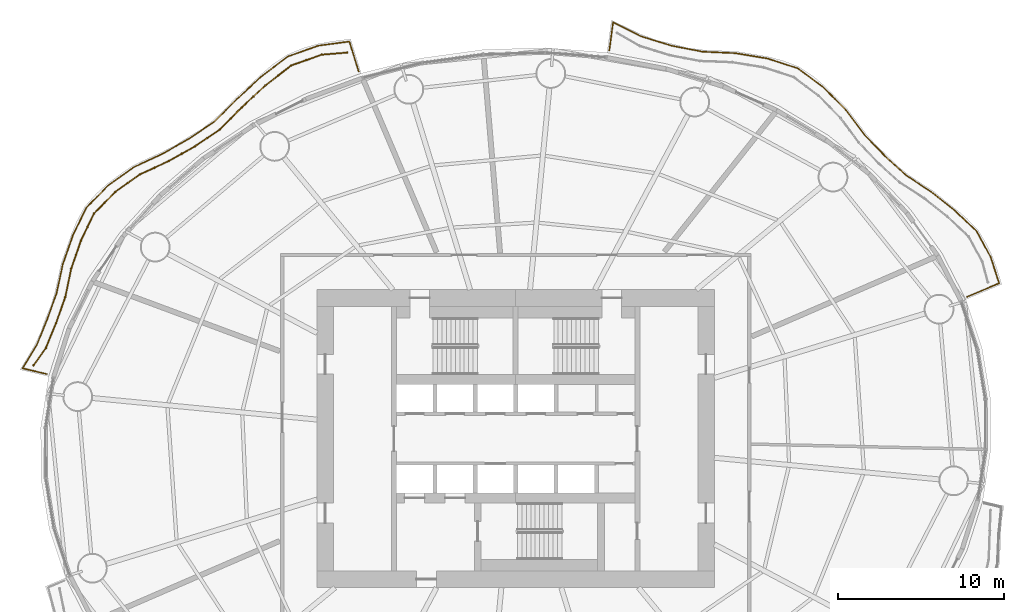
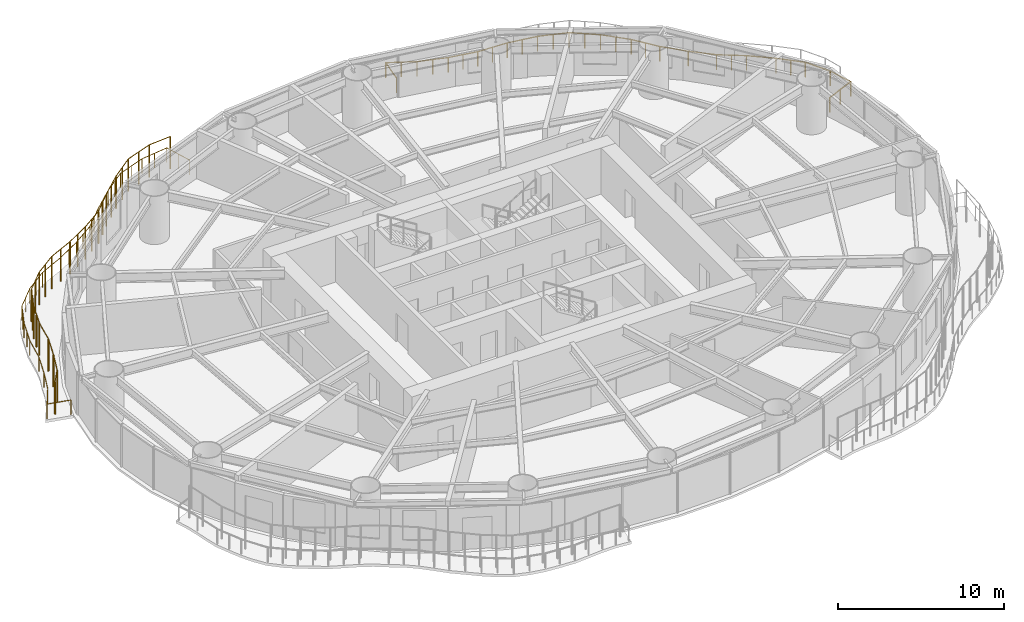
# One storey, part 16 of 17: 3 railings.
"""IFC4 building model written with IfcOpenShell, lengths in metres."""

from ifc_helpers import new_model, si_unit, direction, frame, origin, origin_2d, place, context, subcontext, project, spatial, circle, extrude, material, type_object, element, save


model = new_model("IFC4")

# Units and contexts
model_context = context("Model", 3, precision=1e-05, world=origin(), true_north=direction((0.0, 1.0)))
body_context = subcontext(model_context, "Body", "Model", "MODEL_VIEW")
ifc_project = project(units=[si_unit("LENGTHUNIT", "METRE"), si_unit("AREAUNIT", "SQUARE_METRE"), si_unit("VOLUMEUNIT", "CUBIC_METRE"), si_unit("PLANEANGLEUNIT", "RADIAN"), si_unit("MASSUNIT", "GRAM", prefix="KILO")], contexts=[model_context])

# Site, building, storey
site_placement = place(None, origin())
site = spatial("IfcSite", under=ifc_project, at=site_placement, CompositionType="ELEMENT")
building_placement = place(site_placement, origin())
building = spatial("IfcBuilding", under=site, at=building_placement, Name="Vermilion Reach Broadcast Tower", CompositionType="ELEMENT")
storey_placement = place(building_placement, frame((0.0, 0.0, 54.5)))
storey = spatial("IfcBuildingStorey", under=building, at=storey_placement, Name="L10", CompositionType="ELEMENT", Elevation=54.5)

# Railings
ifc_material_1 = material(Name="Terracotta baguette", Category="masonry")
railing_type_1 = type_object("IfcRailingType", Name="BAGUETTE SCREEN", PredefinedType="USERDEFINED", material=ifc_material_1)
railing_1_placement = place(storey_placement, frame((-16.186279296875, 23.325927734375, 0.0)))
element("IfcRailing", 1, at=railing_1_placement, inside=storey, type_object=railing_type_1, Name="Baguette screen L10 group 2", ObjectType="BAGUETTE SCREEN", PredefinedType="USERDEFINED", context=body_context, shape_type="SweptSolid", body=[
    extrude(circle(Radius=0.030029296875, at=origin_2d()), frame((0.0, 0.0, 2.369873046875), z_axis=(-0.996626300757, -0.082073239486, 0.0), x_axis=(0.082073239486, -0.996626300757, 0.0)), (0.0, 0.0, 1.0), 1.537841796875),
    extrude(circle(Radius=0.030029296875, at=origin_2d()), frame((-1.53271484375, -0.126220703125, 2.369873046875), z_axis=(-0.942582264606, -0.333974062542, 0.0), x_axis=(0.333974062542, -0.942582264606, 0.0)), (0.0, 0.0, 1.0), 1.95849609375),
    extrude(circle(Radius=0.030029296875, at=origin_2d()), frame((-3.378662109375, -0.7802734375, 2.369873046875), z_axis=(-0.791356076154, -0.611355510921, 0.0), x_axis=(0.611355510921, -0.791356076154, 0.0)), (0.0, 0.0, 1.0), 1.9638671875),
    extrude(circle(Radius=0.030029296875, at=origin_2d()), frame((-4.932861328125, -1.98095703125, 2.369873046875), z_axis=(-0.73319798747, -0.680015228631, 0.0), x_axis=(0.680015228631, -0.73319798747, 0.0)), (0.0, 0.0, 1.0), 1.95556640625),
    extrude(circle(Radius=0.030029296875, at=origin_2d()), frame((-6.36669921875, -3.310791015625, 2.369873046875), z_axis=(-0.703076298775, -0.711114419838, 0.0), x_axis=(0.711114419838, -0.703076298775, 0.0)), (0.0, 0.0, 1.0), 1.883056640625),
    extrude(circle(Radius=0.030029296875, at=origin_2d()), frame((-7.690673828125, -4.64990234375, 2.369873046875), z_axis=(-0.829421715543, -0.558622965681, 0.0), x_axis=(0.558622965681, -0.829421715543, 0.0)), (0.0, 0.0, 1.0), 1.821044921875),
    extrude(circle(Radius=0.030029296875, at=origin_2d()), frame((-9.201171875, -5.667236328125, 2.369873046875), z_axis=(-0.871078904278, -0.491143097806, 0.0), x_axis=(0.491143097806, -0.871078904278, 0.0)), (0.0, 0.0, 1.0), 1.8134765625),
    extrude(circle(Radius=0.030029296875, at=origin_2d()), frame((-10.78076171875, -6.557861328125, 2.369873046875), z_axis=(-0.908505016207, -0.417873946934, 0.0), x_axis=(0.417873946934, -0.908505016207, 0.0)), (0.0, 0.0, 1.0), 1.909423828125),
    extrude(circle(Radius=0.030029296875, at=origin_2d()), frame((-12.515380859375, -7.355712890625, 2.369873046875), z_axis=(-0.814119722969, -0.580697061016, 0.0), x_axis=(0.580697061016, -0.814119722969, 0.0)), (0.0, 0.0, 1.0), 1.835693359375),
    extrude(circle(Radius=0.030029296875, at=origin_2d()), frame((-14.009765625, -8.421630859375, 2.369873046875), z_axis=(-0.701553228763, -0.712617055095, 0.0), x_axis=(0.712617055095, -0.701553228763, 0.0)), (0.0, 0.0, 1.0), 1.83154296875),
    extrude(circle(Radius=0.030029296875, at=origin_2d()), frame((-15.294677734375, -9.726806640625, 2.369873046875), z_axis=(-0.433433720296, -0.901185447125, 0.0), x_axis=(0.901185447125, -0.433433720296, 0.0)), (0.0, 0.0, 1.0), 1.806884765625),
    extrude(circle(Radius=0.030029296875, at=origin_2d()), frame((-16.077880859375, -11.355224609375, 2.369873046875), z_axis=(-0.327333733682, -0.944908792844, 0.0), x_axis=(0.944908792844, -0.327333733682, 0.0)), (0.0, 0.0, 1.0), 1.803466796875),
    extrude(circle(Radius=0.030029296875, at=origin_2d()), frame((-16.668212890625, -13.059326171875, 2.369873046875), z_axis=(-0.204670953274, -0.978830833641, 0.0), x_axis=(0.978830833641, -0.204670953274, 0.0)), (0.0, 0.0, 1.0), 1.754638671875),
    extrude(circle(Radius=0.030029296875, at=origin_2d()), frame((-17.02734375, -14.77685546875, 2.369873046875), z_axis=(-0.334397261037, -0.942432210724, 0.0), x_axis=(0.942432210724, -0.334397261037, 0.0)), (0.0, 0.0, 1.0), 1.66748046875),
    extrude(circle(Radius=0.030029296875, at=origin_2d()), frame((-17.5849609375, -16.348388671875, 2.369873046875), z_axis=(-0.378001958055, -0.925804795681, 0.0), x_axis=(0.925804795681, -0.378001958055, 0.0)), (0.0, 0.0, 1.0), 1.627685546875),
    extrude(circle(Radius=0.030029296875, at=origin_2d()), frame((-18.2001953125, -17.855224609375, 2.369873046875), z_axis=(-0.582070223561, -0.813138521313, 0.0), x_axis=(0.813138521313, -0.582070223561, 0.0)), (0.0, 0.0, 1.0), 1.2763671875),
    extrude(circle(Radius=0.050048828125, at=origin_2d()), origin(), (0.0, 0.0, 1.0), 2.33984375),
    extrude(circle(Radius=0.050048828125, at=origin_2d()), frame((-1.53271484375, -0.126220703125, 0.0)), (0.0, 0.0, 1.0), 2.33984375),
    extrude(circle(Radius=0.050048828125, at=origin_2d()), frame((-2.45556640625, -0.453125, 0.0)), (0.0, 0.0, 1.0), 2.33984375),
    extrude(circle(Radius=0.050048828125, at=origin_2d()), frame((-3.378662109375, -0.7802734375, 0.0)), (0.0, 0.0, 1.0), 2.33984375),
    extrude(circle(Radius=0.050048828125, at=origin_2d()), frame((-4.15576171875, -1.380615234375, 0.0)), (0.0, 0.0, 1.0), 2.33984375),
    extrude(circle(Radius=0.050048828125, at=origin_2d()), frame((-4.932861328125, -1.98095703125, 0.0)), (0.0, 0.0, 1.0), 2.33984375),
    extrude(circle(Radius=0.050048828125, at=origin_2d()), frame((-5.64990234375, -2.64599609375, 0.0)), (0.0, 0.0, 1.0), 2.33984375),
    extrude(circle(Radius=0.050048828125, at=origin_2d()), frame((-6.36669921875, -3.310791015625, 0.0)), (0.0, 0.0, 1.0), 2.33984375),
    extrude(circle(Radius=0.050048828125, at=origin_2d()), frame((-7.02880859375, -3.98046875, 0.0)), (0.0, 0.0, 1.0), 2.33984375),
    extrude(circle(Radius=0.050048828125, at=origin_2d()), frame((-7.690673828125, -4.64990234375, 0.0)), (0.0, 0.0, 1.0), 2.33984375),
    extrude(circle(Radius=0.050048828125, at=origin_2d()), frame((-8.44580078125, -5.15869140625, 0.0)), (0.0, 0.0, 1.0), 2.33984375),
    extrude(circle(Radius=0.050048828125, at=origin_2d()), frame((-9.201171875, -5.667236328125, 0.0)), (0.0, 0.0, 1.0), 2.33984375),
    extrude(circle(Radius=0.050048828125, at=origin_2d()), frame((-9.990966796875, -6.112548828125, 0.0)), (0.0, 0.0, 1.0), 2.33984375),
    extrude(circle(Radius=0.050048828125, at=origin_2d()), frame((-10.78076171875, -6.557861328125, 0.0)), (0.0, 0.0, 1.0), 2.33984375),
    extrude(circle(Radius=0.050048828125, at=origin_2d()), frame((-11.64794921875, -6.956787109375, 0.0)), (0.0, 0.0, 1.0), 2.33984375),
    extrude(circle(Radius=0.050048828125, at=origin_2d()), frame((-12.515380859375, -7.355712890625, 0.0)), (0.0, 0.0, 1.0), 2.33984375),
    extrude(circle(Radius=0.050048828125, at=origin_2d()), frame((-13.2626953125, -7.888671875, 0.0)), (0.0, 0.0, 1.0), 2.33984375),
    extrude(circle(Radius=0.050048828125, at=origin_2d()), frame((-14.009765625, -8.421630859375, 0.0)), (0.0, 0.0, 1.0), 2.33984375),
    extrude(circle(Radius=0.050048828125, at=origin_2d()), frame((-14.65234375, -9.07421875, 0.0)), (0.0, 0.0, 1.0), 2.33984375),
    extrude(circle(Radius=0.050048828125, at=origin_2d()), frame((-15.294677734375, -9.726806640625, 0.0)), (0.0, 0.0, 1.0), 2.33984375),
    extrude(circle(Radius=0.050048828125, at=origin_2d()), frame((-15.686279296875, -10.541015625, 0.0)), (0.0, 0.0, 1.0), 2.33984375),
    extrude(circle(Radius=0.050048828125, at=origin_2d()), frame((-16.077880859375, -11.355224609375, 0.0)), (0.0, 0.0, 1.0), 2.33984375),
    extrude(circle(Radius=0.050048828125, at=origin_2d()), frame((-16.373046875, -12.207275390625, 0.0)), (0.0, 0.0, 1.0), 2.33984375),
    extrude(circle(Radius=0.050048828125, at=origin_2d()), frame((-16.668212890625, -13.059326171875, 0.0)), (0.0, 0.0, 1.0), 2.33984375),
    extrude(circle(Radius=0.050048828125, at=origin_2d()), frame((-17.02734375, -14.77685546875, 0.0)), (0.0, 0.0, 1.0), 2.33984375),
    extrude(circle(Radius=0.050048828125, at=origin_2d()), frame((-17.5849609375, -16.348388671875, 0.0)), (0.0, 0.0, 1.0), 2.33984375),
    extrude(circle(Radius=0.050048828125, at=origin_2d()), frame((-18.2001953125, -17.855224609375, 0.0)), (0.0, 0.0, 1.0), 2.33984375),
    extrude(circle(Radius=0.050048828125, at=origin_2d()), frame((-18.943115234375, -18.89306640625, 0.0)), (0.0, 0.0, 1.0), 2.33984375),
])
ifc_material_2 = material(Name="Stainless steel 316 balustrade", Category="steel")
railing_type_2 = type_object("IfcRailingType", Name="Balcony guard 1100", PredefinedType="BALUSTRADE", material=ifc_material_2)
railing_2_placement = place(storey_placement, frame((21.279541015625, 8.5751953125, 0.0)))
element("IfcRailing", 2, at=railing_2_placement, inside=storey, type_object=railing_type_2, Name="Balcony guard L10 group 1", PredefinedType="BALUSTRADE", context=body_context, shape_type="SweptSolid", body=[
    extrude(circle(Radius=0.02490234375, at=origin_2d()), frame((0.0, 0.0, 1.0751953125), z_axis=(0.921384430339, 0.388652455968, 0.0), x_axis=(-0.388652455968, 0.921384430339, 0.0)), (0.0, 0.0, 1.0), 2.08935546875),
    extrude(circle(Radius=0.02490234375, at=origin_2d()), frame((1.925048828125, 0.81201171875, 1.0751953125), z_axis=(-0.306352593082, 0.951918110297, 0.0), x_axis=(-0.951918110297, -0.306352593082, 0.0)), (0.0, 0.0, 1.0), 1.65673828125),
    extrude(circle(Radius=0.02490234375, at=origin_2d()), frame((1.41748046875, 2.38916015625, 1.0751953125), z_axis=(-0.476554804996, 0.879144765005, 0.0), x_axis=(-0.879144765005, -0.476554804996, 0.0)), (0.0, 0.0, 1.0), 1.765869140625),
    extrude(circle(Radius=0.02490234375, at=origin_2d()), frame((0.575927734375, 3.941650390625, 1.0751953125), z_axis=(-0.725076010104, 0.688668846087, 0.0), x_axis=(-0.688668846087, -0.725076010104, 0.0)), (0.0, 0.0, 1.0), 1.830810546875),
    extrude(circle(Radius=0.02490234375, at=origin_2d()), frame((-0.75146484375, 5.202392578125, 1.0751953125), z_axis=(-0.780974768528, 0.624562575666, 0.0), x_axis=(-0.624562575666, -0.780974768528, 0.0)), (0.0, 0.0, 1.0), 1.798095703125),
    extrude(circle(Radius=0.02490234375, at=origin_2d()), frame((-2.15576171875, 6.325439453125, 1.0751953125), z_axis=(-0.836690327625, 0.54767626903, 0.0), x_axis=(-0.54767626903, -0.836690327625, 0.0)), (0.0, 0.0, 1.0), 1.81787109375),
    extrude(circle(Radius=0.02490234375, at=origin_2d()), frame((-3.6767578125, 7.321044921875, 1.0751953125), z_axis=(-0.739322374068, 0.673351637113, 0.0), x_axis=(-0.673351637113, -0.739322374068, 0.0)), (0.0, 0.0, 1.0), 1.735595703125),
    extrude(circle(Radius=0.02490234375, at=origin_2d()), frame((-4.9599609375, 8.48974609375, 1.0751953125), z_axis=(-0.693424404631, 0.720529385287, 0.0), x_axis=(-0.720529385287, -0.693424404631, 0.0)), (0.0, 0.0, 1.0), 1.79248046875),
    extrude(circle(Radius=0.02490234375, at=origin_2d()), frame((-6.202880859375, 9.78125, 1.0751953125), z_axis=(-0.600892529214, 0.799329824499, 0.0), x_axis=(-0.799329824499, -0.600892529214, 0.0)), (0.0, 0.0, 1.0), 1.881103515625),
    extrude(circle(Radius=0.02490234375, at=origin_2d()), frame((-7.333251953125, 11.284912109375, 1.0751953125), z_axis=(-0.705262468352, 0.708946296086, 0.0), x_axis=(-0.708946296086, -0.705262468352, 0.0)), (0.0, 0.0, 1.0), 1.921875),
    extrude(circle(Radius=0.02490234375, at=origin_2d()), frame((-8.688720703125, 12.6474609375, 1.0751953125), z_axis=(-0.800935732159, 0.598750326054, 0.0), x_axis=(-0.598750326054, -0.800935732159, 0.0)), (0.0, 0.0, 1.0), 1.907958984375),
    extrude(circle(Radius=0.02490234375, at=origin_2d()), frame((-10.216796875, 13.789794921875, 1.0751953125), z_axis=(-0.950925424153, 0.309420163693, 0.0), x_axis=(-0.309420163693, -0.950925424153, 0.0)), (0.0, 0.0, 1.0), 1.94970703125),
    extrude(circle(Radius=0.02490234375, at=origin_2d()), frame((-12.07080078125, 14.39306640625, 1.0751953125), z_axis=(-0.986414174582, 0.164277436623, 0.0), x_axis=(-0.164277436623, -0.986414174582, 0.0)), (0.0, 0.0, 1.0), 1.954345703125),
    extrude(circle(Radius=0.02490234375, at=origin_2d()), frame((-13.99853515625, 14.714111328125, 1.0751953125), z_axis=(-0.998989639982, 0.044941063726, 0.0), x_axis=(-0.044941063726, -0.998989639982, 0.0)), (0.0, 0.0, 1.0), 1.99365234375),
    extrude(circle(Radius=0.02490234375, at=origin_2d()), frame((-15.990234375, 14.8037109375, 1.0751953125), z_axis=(-0.982052332042, 0.188608634825, 0.0), x_axis=(-0.188608634825, -0.982052332042, 0.0)), (0.0, 0.0, 1.0), 1.896240234375),
    extrude(circle(Radius=0.02490234375, at=origin_2d()), frame((-17.8525390625, 15.161376953125, 1.0751953125), z_axis=(-0.955364274451, 0.295430369295, 0.0), x_axis=(-0.295430369295, -0.955364274451, 0.0)), (0.0, 0.0, 1.0), 1.92626953125),
    extrude(circle(Radius=0.02490234375, at=origin_2d()), frame((-19.69287109375, 15.73046875, 1.0751953125), z_axis=(-0.895399721365, 0.445263224374, 0.0), x_axis=(-0.445263224374, -0.895399721365, 0.0)), (0.0, 0.0, 1.0), 1.90380859375),
    extrude(circle(Radius=0.02490234375, at=origin_2d()), frame((-21.3974609375, 16.578125, 1.0751953125), z_axis=(-0.132322325311, -0.991206740405, 0.0), x_axis=(0.991206740405, -0.132322325311, 0.0)), (0.0, 0.0, 1.0), 1.714111328125),
    extrude(circle(Radius=0.02490234375, at=origin_2d()), origin(), (0.0, 0.0, 1.0), 1.050048828125),
    extrude(circle(Radius=0.02490234375, at=origin_2d()), frame((0.96240234375, 0.406005859375, 0.0)), (0.0, 0.0, 1.0), 1.050048828125),
    extrude(circle(Radius=0.02490234375, at=origin_2d()), frame((1.925048828125, 0.81201171875, 0.0)), (0.0, 0.0, 1.0), 1.050048828125),
    extrude(circle(Radius=0.02490234375, at=origin_2d()), frame((1.41748046875, 2.38916015625, 0.0)), (0.0, 0.0, 1.0), 1.050048828125),
    extrude(circle(Radius=0.02490234375, at=origin_2d()), frame((0.575927734375, 3.941650390625, 0.0)), (0.0, 0.0, 1.0), 1.050048828125),
    extrude(circle(Radius=0.02490234375, at=origin_2d()), frame((-0.087890625, 4.572021484375, 0.0)), (0.0, 0.0, 1.0), 1.050048828125),
    extrude(circle(Radius=0.02490234375, at=origin_2d()), frame((-0.75146484375, 5.202392578125, 0.0)), (0.0, 0.0, 1.0), 1.050048828125),
    extrude(circle(Radius=0.02490234375, at=origin_2d()), frame((-2.15576171875, 6.325439453125, 0.0)), (0.0, 0.0, 1.0), 1.050048828125),
    extrude(circle(Radius=0.02490234375, at=origin_2d()), frame((-2.916259765625, 6.8232421875, 0.0)), (0.0, 0.0, 1.0), 1.050048828125),
    extrude(circle(Radius=0.02490234375, at=origin_2d()), frame((-3.6767578125, 7.321044921875, 0.0)), (0.0, 0.0, 1.0), 1.050048828125),
    extrude(circle(Radius=0.02490234375, at=origin_2d()), frame((-4.9599609375, 8.48974609375, 0.0)), (0.0, 0.0, 1.0), 1.050048828125),
    extrude(circle(Radius=0.02490234375, at=origin_2d()), frame((-6.202880859375, 9.78125, 0.0)), (0.0, 0.0, 1.0), 1.050048828125),
    extrude(circle(Radius=0.02490234375, at=origin_2d()), frame((-6.76806640625, 10.533203125, 0.0)), (0.0, 0.0, 1.0), 1.050048828125),
    extrude(circle(Radius=0.02490234375, at=origin_2d()), frame((-7.333251953125, 11.284912109375, 0.0)), (0.0, 0.0, 1.0), 1.050048828125),
    extrude(circle(Radius=0.02490234375, at=origin_2d()), frame((-8.010986328125, 11.96630859375, 0.0)), (0.0, 0.0, 1.0), 1.050048828125),
    extrude(circle(Radius=0.02490234375, at=origin_2d()), frame((-8.688720703125, 12.6474609375, 0.0)), (0.0, 0.0, 1.0), 1.050048828125),
    extrude(circle(Radius=0.02490234375, at=origin_2d()), frame((-9.45263671875, 13.21875, 0.0)), (0.0, 0.0, 1.0), 1.050048828125),
    extrude(circle(Radius=0.02490234375, at=origin_2d()), frame((-10.216796875, 13.789794921875, 0.0)), (0.0, 0.0, 1.0), 1.050048828125),
    extrude(circle(Radius=0.02490234375, at=origin_2d()), frame((-11.143798828125, 14.09130859375, 0.0)), (0.0, 0.0, 1.0), 1.050048828125),
    extrude(circle(Radius=0.02490234375, at=origin_2d()), frame((-12.07080078125, 14.39306640625, 0.0)), (0.0, 0.0, 1.0), 1.050048828125),
    extrude(circle(Radius=0.02490234375, at=origin_2d()), frame((-13.03466796875, 14.5537109375, 0.0)), (0.0, 0.0, 1.0), 1.050048828125),
    extrude(circle(Radius=0.02490234375, at=origin_2d()), frame((-13.99853515625, 14.714111328125, 0.0)), (0.0, 0.0, 1.0), 1.050048828125),
    extrude(circle(Radius=0.02490234375, at=origin_2d()), frame((-14.994384765625, 14.7587890625, 0.0)), (0.0, 0.0, 1.0), 1.050048828125),
    extrude(circle(Radius=0.02490234375, at=origin_2d()), frame((-15.990234375, 14.8037109375, 0.0)), (0.0, 0.0, 1.0), 1.050048828125),
    extrude(circle(Radius=0.02490234375, at=origin_2d()), frame((-16.92138671875, 14.982421875, 0.0)), (0.0, 0.0, 1.0), 1.050048828125),
    extrude(circle(Radius=0.02490234375, at=origin_2d()), frame((-17.8525390625, 15.161376953125, 0.0)), (0.0, 0.0, 1.0), 1.050048828125),
    extrude(circle(Radius=0.02490234375, at=origin_2d()), frame((-18.772705078125, 15.44580078125, 0.0)), (0.0, 0.0, 1.0), 1.050048828125),
    extrude(circle(Radius=0.02490234375, at=origin_2d()), frame((-19.69287109375, 15.73046875, 0.0)), (0.0, 0.0, 1.0), 1.050048828125),
    extrude(circle(Radius=0.02490234375, at=origin_2d()), frame((-20.545166015625, 16.154296875, 0.0)), (0.0, 0.0, 1.0), 1.050048828125),
    extrude(circle(Radius=0.02490234375, at=origin_2d()), frame((-21.3974609375, 16.578125, 0.0)), (0.0, 0.0, 1.0), 1.050048828125),
    extrude(circle(Radius=0.02490234375, at=origin_2d()), frame((-21.624267578125, 14.879150390625, 0.0)), (0.0, 0.0, 1.0), 1.050048828125),
])
railing_3_placement = place(storey_placement, frame((-15.487548828125, 22.1826171875, 0.0)))
element("IfcRailing", 3, at=railing_3_placement, inside=storey, type_object=railing_type_2, Name="Balcony guard L10 group 2", PredefinedType="BALUSTRADE", context=body_context, shape_type="SweptSolid", body=[
    extrude(circle(Radius=0.02490234375, at=origin_2d()), frame((0.0, 0.0, 1.0751953125), z_axis=(-0.295767622553, 0.955259919315, 0.0), x_axis=(-0.955259919315, -0.295767622553, 0.0)), (0.0, 0.0, 1.0), 1.89697265625),
    extrude(circle(Radius=0.02490234375, at=origin_2d()), frame((-0.56103515625, 1.81201171875, 1.0751953125), z_axis=(-0.991132820397, -0.132874874722, 0.0), x_axis=(0.132874874722, -0.991132820397, 0.0)), (0.0, 0.0, 1.0), 1.888916015625),
    extrude(circle(Radius=0.02490234375, at=origin_2d()), frame((-2.43310546875, 1.56103515625, 1.0751953125), z_axis=(-0.94234793521, -0.33463467992, 0.0), x_axis=(0.33463467992, -0.94234793521, 0.0)), (0.0, 0.0, 1.0), 1.990966796875),
    extrude(circle(Radius=0.02490234375, at=origin_2d()), frame((-4.309326171875, 0.894775390625, 1.0751953125), z_axis=(-0.793450810867, -0.608634381821, 0.0), x_axis=(0.608634381821, -0.793450810867, 0.0)), (0.0, 0.0, 1.0), 1.99609375),
    extrude(circle(Radius=0.02490234375, at=origin_2d()), frame((-5.89306640625, -0.320068359375, 1.0751953125), z_axis=(-0.736134071868, -0.676835746866, 0.0), x_axis=(0.676835746866, -0.736134071868, 0.0)), (0.0, 0.0, 1.0), 1.988525390625),
    extrude(circle(Radius=0.02490234375, at=origin_2d()), frame((-7.35693359375, -1.666015625, 1.0751953125), z_axis=(-0.70595898635, -0.708252715908, 0.0), x_axis=(0.708252715908, -0.70595898635, 0.0)), (0.0, 0.0, 1.0), 1.915771484375),
    extrude(circle(Radius=0.02490234375, at=origin_2d()), frame((-8.70947265625, -3.02294921875, 1.0751953125), z_axis=(-0.829145843244, -0.559032352043, 0.0), x_axis=(0.559032352043, -0.829145843244, 0.0)), (0.0, 0.0, 1.0), 1.8564453125),
    extrude(circle(Radius=0.02490234375, at=origin_2d()), frame((-10.248779296875, -4.060791015625, 1.0751953125), z_axis=(-0.869621545702, -0.493718915224, 0.0), x_axis=(0.493718915224, -0.869621545702, 0.0)), (0.0, 0.0, 1.0), 1.848388671875),
    extrude(circle(Radius=0.02490234375, at=origin_2d()), frame((-11.856201171875, -4.973388671875, 1.0751953125), z_axis=(-0.906035550262, -0.423201585137, 0.0), x_axis=(0.423201585137, -0.906035550262, 0.0)), (0.0, 0.0, 1.0), 1.944580078125),
    extrude(circle(Radius=0.02490234375, at=origin_2d()), frame((-13.6181640625, -5.79638671875, 1.0751953125), z_axis=(-0.811994127451, -0.583665603737, 0.0), x_axis=(0.583665603737, -0.811994127451, 0.0)), (0.0, 0.0, 1.0), 1.872314453125),
    extrude(circle(Radius=0.02490234375, at=origin_2d()), frame((-15.138427734375, -6.88916015625, 1.0751953125), z_axis=(-0.700419707337, -0.713731205408, 0.0), x_axis=(0.713731205408, -0.700419707337, 0.0)), (0.0, 0.0, 1.0), 1.870849609375),
    extrude(circle(Radius=0.02490234375, at=origin_2d()), frame((-16.44873046875, -8.224365234375, 1.0751953125), z_axis=(-0.436971245102, -0.89947547546, 0.0), x_axis=(0.89947547546, -0.436971245102, 0.0)), (0.0, 0.0, 1.0), 1.845458984375),
    extrude(circle(Radius=0.02490234375, at=origin_2d()), frame((-17.255126953125, -9.88427734375, 1.0751953125), z_axis=(-0.332231311728, -0.943197940788, 0.0), x_axis=(0.943197940788, -0.332231311728, 0.0)), (0.0, 0.0, 1.0), 1.84375),
    extrude(circle(Radius=0.02490234375, at=origin_2d()), frame((-17.86767578125, -11.623291015625, 1.0751953125), z_axis=(-0.211034165043, -0.977478685796, 0.0), x_axis=(0.977478685796, -0.211034165043, 0.0)), (0.0, 0.0, 1.0), 1.79443359375),
    extrude(circle(Radius=0.02490234375, at=origin_2d()), frame((-18.246337890625, -13.377197265625, 1.0751953125), z_axis=(-0.336236946541, -0.941777423695, 0.0), x_axis=(0.941777423695, -0.336236946541, 0.0)), (0.0, 0.0, 1.0), 1.710693359375),
    extrude(circle(Radius=0.02490234375, at=origin_2d()), frame((-18.821533203125, -14.98828125, 1.0751953125), z_axis=(-0.377152990947, -0.926150971181, 0.0), x_axis=(0.926150971181, -0.377152990947, 0.0)), (0.0, 0.0, 1.0), 1.670654296875),
    extrude(circle(Radius=0.02490234375, at=origin_2d()), frame((-19.45166015625, -16.53564453125, 1.0751953125), z_axis=(-0.522481589507, -0.852650566543, 0.0), x_axis=(0.852650566543, -0.522481589507, 0.0)), (0.0, 0.0, 1.0), 1.636474609375),
    extrude(circle(Radius=0.02490234375, at=origin_2d()), frame((-20.306640625, -17.930908203125, 1.0751953125), z_axis=(0.973287392023, -0.229590183868, 0.0), x_axis=(0.229590183868, 0.973287392023, 0.0)), (0.0, 0.0, 1.0), 1.5068359375),
    extrude(circle(Radius=0.02490234375, at=origin_2d()), origin(), (0.0, 0.0, 1.0), 1.050048828125),
    extrude(circle(Radius=0.02490234375, at=origin_2d()), frame((-0.280517578125, 0.906005859375, 0.0)), (0.0, 0.0, 1.0), 1.050048828125),
    extrude(circle(Radius=0.02490234375, at=origin_2d()), frame((-0.56103515625, 1.81201171875, 0.0)), (0.0, 0.0, 1.0), 1.050048828125),
    extrude(circle(Radius=0.02490234375, at=origin_2d()), frame((-1.4970703125, 1.6865234375, 0.0)), (0.0, 0.0, 1.0), 1.050048828125),
    extrude(circle(Radius=0.02490234375, at=origin_2d()), frame((-2.43310546875, 1.56103515625, 0.0)), (0.0, 0.0, 1.0), 1.050048828125),
    extrude(circle(Radius=0.02490234375, at=origin_2d()), frame((-3.37109375, 1.22802734375, 0.0)), (0.0, 0.0, 1.0), 1.050048828125),
    extrude(circle(Radius=0.02490234375, at=origin_2d()), frame((-4.309326171875, 0.894775390625, 0.0)), (0.0, 0.0, 1.0), 1.050048828125),
    extrude(circle(Radius=0.02490234375, at=origin_2d()), frame((-5.10107421875, 0.287353515625, 0.0)), (0.0, 0.0, 1.0), 1.050048828125),
    extrude(circle(Radius=0.02490234375, at=origin_2d()), frame((-5.89306640625, -0.320068359375, 0.0)), (0.0, 0.0, 1.0), 1.050048828125),
    extrude(circle(Radius=0.02490234375, at=origin_2d()), frame((-6.625, -0.9931640625, 0.0)), (0.0, 0.0, 1.0), 1.050048828125),
    extrude(circle(Radius=0.02490234375, at=origin_2d()), frame((-7.35693359375, -1.666015625, 0.0)), (0.0, 0.0, 1.0), 1.050048828125),
    extrude(circle(Radius=0.02490234375, at=origin_2d()), frame((-8.033203125, -2.344482421875, 0.0)), (0.0, 0.0, 1.0), 1.050048828125),
    extrude(circle(Radius=0.02490234375, at=origin_2d()), frame((-8.70947265625, -3.02294921875, 0.0)), (0.0, 0.0, 1.0), 1.050048828125),
    extrude(circle(Radius=0.02490234375, at=origin_2d()), frame((-9.47900390625, -3.5419921875, 0.0)), (0.0, 0.0, 1.0), 1.050048828125),
    extrude(circle(Radius=0.02490234375, at=origin_2d()), frame((-10.248779296875, -4.060791015625, 0.0)), (0.0, 0.0, 1.0), 1.050048828125),
    extrude(circle(Radius=0.02490234375, at=origin_2d()), frame((-11.052490234375, -4.51708984375, 0.0)), (0.0, 0.0, 1.0), 1.050048828125),
    extrude(circle(Radius=0.02490234375, at=origin_2d()), frame((-11.856201171875, -4.973388671875, 0.0)), (0.0, 0.0, 1.0), 1.050048828125),
    extrude(circle(Radius=0.02490234375, at=origin_2d()), frame((-12.7373046875, -5.384765625, 0.0)), (0.0, 0.0, 1.0), 1.050048828125),
    extrude(circle(Radius=0.02490234375, at=origin_2d()), frame((-13.6181640625, -5.79638671875, 0.0)), (0.0, 0.0, 1.0), 1.050048828125),
    extrude(circle(Radius=0.02490234375, at=origin_2d()), frame((-14.37841796875, -6.3427734375, 0.0)), (0.0, 0.0, 1.0), 1.050048828125),
    extrude(circle(Radius=0.02490234375, at=origin_2d()), frame((-15.138427734375, -6.88916015625, 0.0)), (0.0, 0.0, 1.0), 1.050048828125),
    extrude(circle(Radius=0.02490234375, at=origin_2d()), frame((-15.79345703125, -7.556640625, 0.0)), (0.0, 0.0, 1.0), 1.050048828125),
    extrude(circle(Radius=0.02490234375, at=origin_2d()), frame((-16.44873046875, -8.224365234375, 0.0)), (0.0, 0.0, 1.0), 1.050048828125),
    extrude(circle(Radius=0.02490234375, at=origin_2d()), frame((-16.85205078125, -9.05419921875, 0.0)), (0.0, 0.0, 1.0), 1.050048828125),
    extrude(circle(Radius=0.02490234375, at=origin_2d()), frame((-17.255126953125, -9.88427734375, 0.0)), (0.0, 0.0, 1.0), 1.050048828125),
    extrude(circle(Radius=0.02490234375, at=origin_2d()), frame((-17.5615234375, -10.75390625, 0.0)), (0.0, 0.0, 1.0), 1.050048828125),
    extrude(circle(Radius=0.02490234375, at=origin_2d()), frame((-17.86767578125, -11.623291015625, 0.0)), (0.0, 0.0, 1.0), 1.050048828125),
    extrude(circle(Radius=0.02490234375, at=origin_2d()), frame((-18.246337890625, -13.377197265625, 0.0)), (0.0, 0.0, 1.0), 1.050048828125),
    extrude(circle(Radius=0.02490234375, at=origin_2d()), frame((-18.821533203125, -14.98828125, 0.0)), (0.0, 0.0, 1.0), 1.050048828125),
    extrude(circle(Radius=0.02490234375, at=origin_2d()), frame((-19.45166015625, -16.53564453125, 0.0)), (0.0, 0.0, 1.0), 1.050048828125),
    extrude(circle(Radius=0.02490234375, at=origin_2d()), frame((-20.306640625, -17.930908203125, 0.0)), (0.0, 0.0, 1.0), 1.050048828125),
    extrude(circle(Radius=0.02490234375, at=origin_2d()), frame((-18.840087890625, -18.27685546875, 0.0)), (0.0, 0.0, 1.0), 1.050048828125),
])

save(model, "model.ifc")
